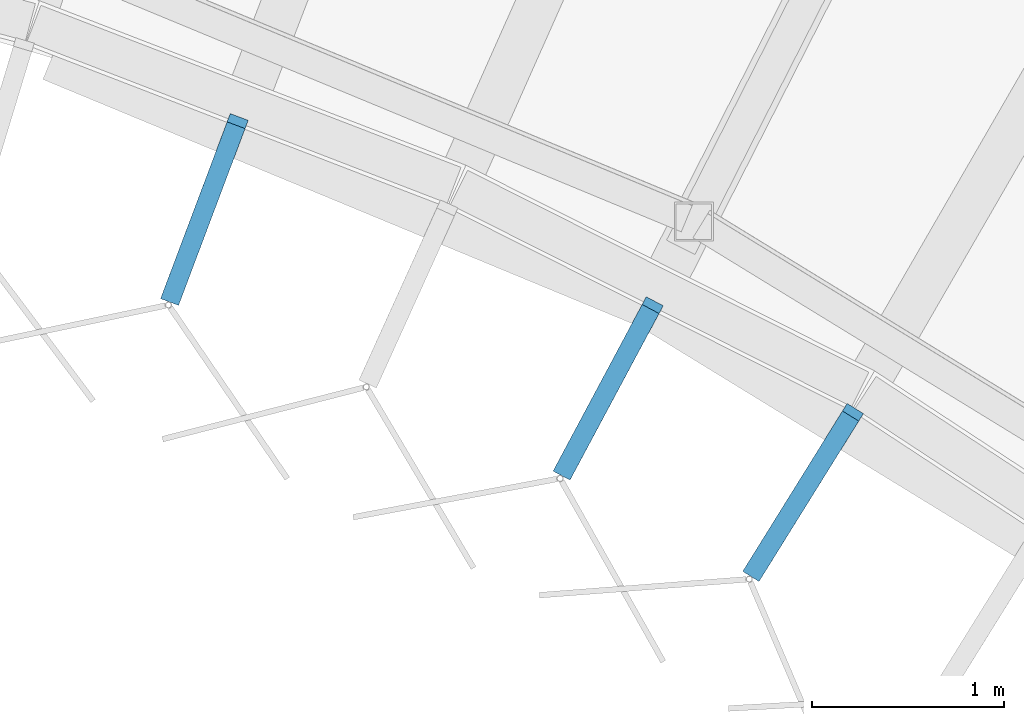
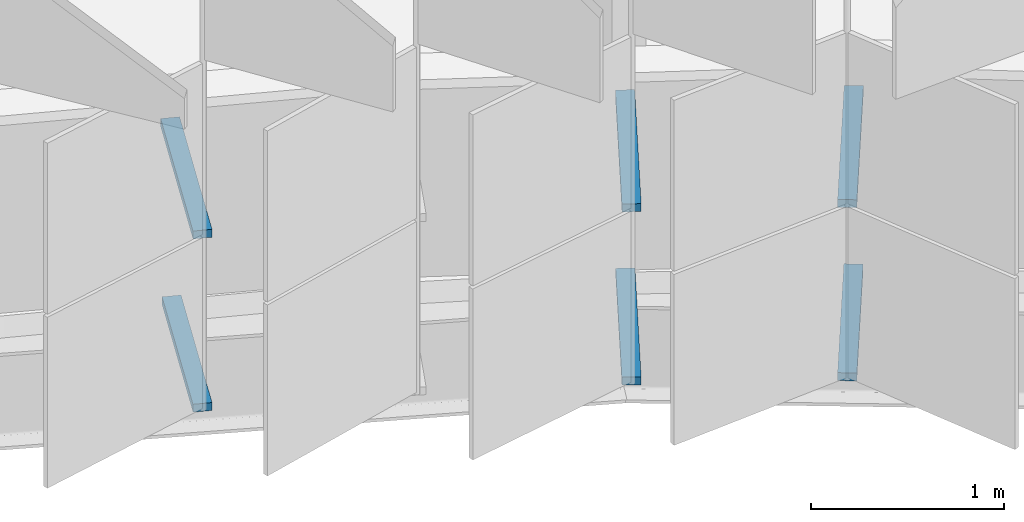
# One storey, part 251 of 483: 6 discrete accessories.
"""IFC4 building model written with IfcOpenShell, lengths in metres."""

from ifc_helpers import new_model, si_unit, direction, frame, origin, origin_2d, place, context, subcontext, project, spatial, rectangle, extrude, material, type_object, element, save


model = new_model("IFC4")

# Units and contexts
model_context = context("Model", 3, precision=1e-05, world=origin(), true_north=direction((0.0, 1.0)))
body_context = subcontext(model_context, "Body", "Model", "MODEL_VIEW")
ifc_project = project(units=[si_unit("LENGTHUNIT", "METRE"), si_unit("AREAUNIT", "SQUARE_METRE"), si_unit("VOLUMEUNIT", "CUBIC_METRE"), si_unit("PLANEANGLEUNIT", "RADIAN"), si_unit("MASSUNIT", "GRAM", prefix="KILO")], contexts=[model_context])

# Site, building, storey
site_placement = place(None, origin())
site = spatial("IfcSite", under=ifc_project, at=site_placement, CompositionType="ELEMENT")
building_placement = place(site_placement, origin())
building = spatial("IfcBuilding", under=site, at=building_placement, Name="Parallax Yard Mobility Hub", CompositionType="ELEMENT")
storey_placement = place(building_placement, frame((0.0, 0.0, 13.199951171875)))
storey = spatial("IfcBuildingStorey", under=building, at=storey_placement, Name="L04", CompositionType="ELEMENT", Elevation=13.199951171875)

# Discrete accessories
ifc_material = material(Name="Steel ASTM A36, hot-dip galvanised", Category="steel")
discrete_accessory_type = type_object("IfcDiscreteAccessoryType", Name="Hinge bracket plate 100x50", PredefinedType="BRACKET", material=ifc_material)
discrete_accessory_1_placement = place(storey_placement, frame((180.384033203125, 110.535400390625, -0.02490234375), z_axis=(0.0, 0.0, 1.0), x_axis=(-0.352250047921, -0.935905926757, 0.0)))
element("IfcDiscreteAccessory", 1, at=discrete_accessory_1_placement, inside=storey, type_object=discrete_accessory_type, Name="Hinge bracket plate bay 19.2 level L04", PredefinedType="BRACKET", context=body_context, shape_type="SweptSolid", body=[
    extrude(rectangle(XDim=0.984130859375, YDim=0.10009765625, at=origin_2d()), origin(), (0.0, 0.0, 1.0), 0.050048828125),
])
discrete_accessory_2_placement = place(storey_placement, frame((180.39208984375, 110.556884765625, 1.06982421875), z_axis=(0.0, 0.0, 1.0), x_axis=(-0.352250047921, -0.935905926757, 0.0)))
element("IfcDiscreteAccessory", 2, at=discrete_accessory_2_placement, inside=storey, type_object=discrete_accessory_type, Name="Hinge bracket plate bay 19.2 level L04", PredefinedType="BRACKET", context=body_context, shape_type="SweptSolid", body=[
    extrude(rectangle(XDim=1.030029296875, YDim=0.10009765625, at=origin_2d()), origin(), (0.0, 0.0, 1.0), 0.050048828125),
])
discrete_accessory_3_placement = place(storey_placement, frame((182.484619140625, 109.6044921875, -0.02490234375), z_axis=(0.0, 0.0, 1.0), x_axis=(-0.471396736826, -0.881921264348, 0.0)))
element("IfcDiscreteAccessory", 3, at=discrete_accessory_3_placement, inside=storey, type_object=discrete_accessory_type, Name="Hinge bracket plate bay 19.4 level L04", PredefinedType="BRACKET", context=body_context, shape_type="SweptSolid", body=[
    extrude(rectangle(XDim=0.984130859375, YDim=0.10009765625, at=origin_2d()), origin(), (0.0, 0.0, 1.0), 0.050048828125),
])
discrete_accessory_4_placement = place(storey_placement, frame((182.49560546875, 109.624755859375, 1.06982421875), z_axis=(0.0, 0.0, 1.0), x_axis=(-0.471396736826, -0.881921264348, 0.0)))
element("IfcDiscreteAccessory", 4, at=discrete_accessory_4_placement, inside=storey, type_object=discrete_accessory_type, Name="Hinge bracket plate bay 19.4 level L04", PredefinedType="BRACKET", context=body_context, shape_type="SweptSolid", body=[
    extrude(rectangle(XDim=1.030029296875, YDim=0.10009765625, at=origin_2d()), origin(), (0.0, 0.0, 1.0), 0.050048828125),
])
discrete_accessory_5_placement = place(storey_placement, frame((183.498779296875, 109.06298828125, -0.02490234375), z_axis=(0.0, 0.0, 1.0), x_axis=(-0.52806785065, -0.849202181527, 0.0)))
element("IfcDiscreteAccessory", 5, at=discrete_accessory_5_placement, inside=storey, type_object=discrete_accessory_type, Name="Hinge bracket plate bay 19.5 level L04", PredefinedType="BRACKET", context=body_context, shape_type="SweptSolid", body=[
    extrude(rectangle(XDim=0.984130859375, YDim=0.10009765625, at=origin_2d()), origin(), (0.0, 0.0, 1.0), 0.050048828125),
])
discrete_accessory_6_placement = place(storey_placement, frame((183.510986328125, 109.08251953125, 1.06982421875), z_axis=(0.0, 0.0, 1.0), x_axis=(-0.52806785065, -0.849202181527, 0.0)))
element("IfcDiscreteAccessory", 6, at=discrete_accessory_6_placement, inside=storey, type_object=discrete_accessory_type, Name="Hinge bracket plate bay 19.5 level L04", PredefinedType="BRACKET", context=body_context, shape_type="SweptSolid", body=[
    extrude(rectangle(XDim=1.030029296875, YDim=0.10009765625, at=origin_2d()), origin(), (0.0, 0.0, 1.0), 0.050048828125),
])

save(model, "model.ifc")
